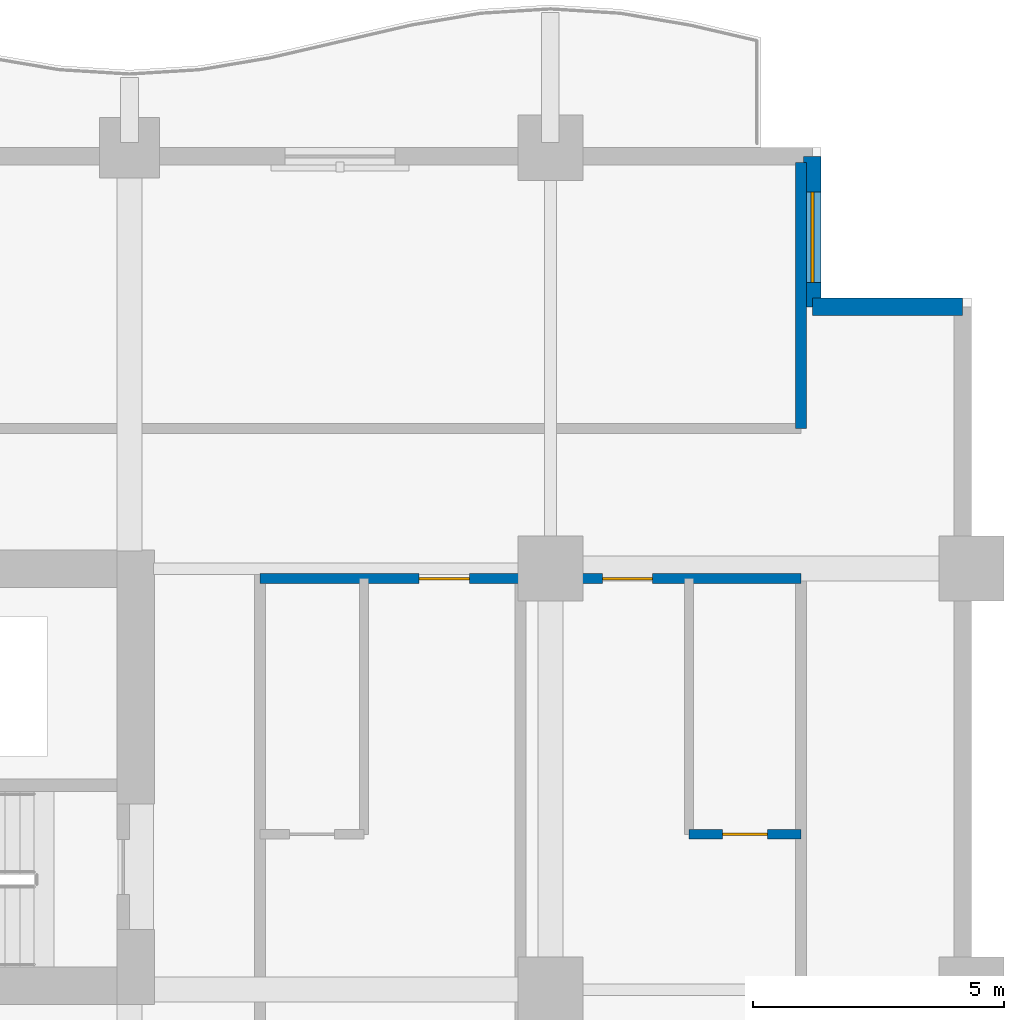
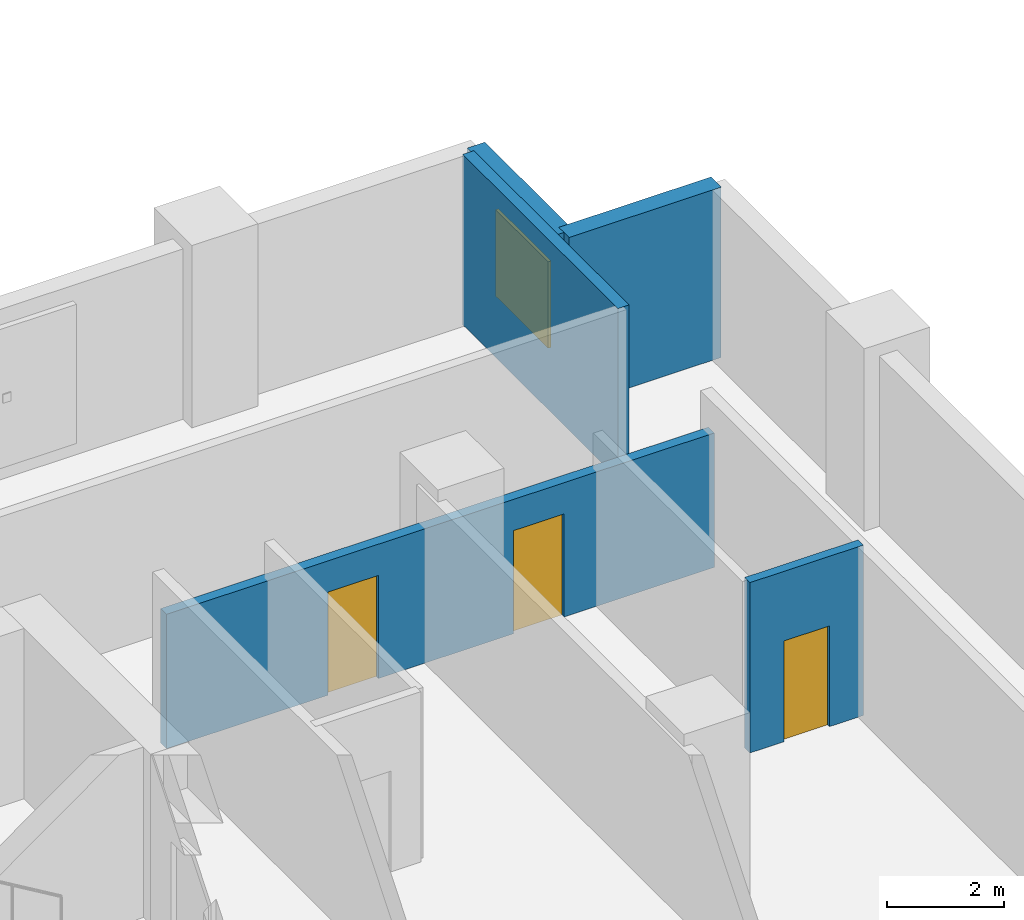
# One storey, part 13 of 21: 5 walls, 3 doors, 1 window, 4 openings.
"""IFC4 building model written with IfcOpenShell, lengths in metres."""

import ifcopenshell
import ifcopenshell.guid

model = None  # the IFC model being written
_history = None  # IfcOwnerHistory: only IFC2X3 demands one
_inside = {}  # id of a spatial element -> (the spatial element, [elements in it])
_under = {}  # id of a project, library or spatial element -> (it, [spatial elements below it])
_declared = {}  # id of a project -> (the project, [libraries it declares])
_typed = {}  # id of a type object -> (the type object, [elements of that type])
_made_of = {}  # id of a material, layer set ... -> (it, [elements and type objects made of it])


def new_model(schema):
    """Start an empty IFC model of exactly this schema.

    Asked for "IFC4X3", IfcOpenShell would pick the latest addendum, in which some entities
    have other attributes; the version numbers below select the first issue.
    IFC2X3 requires an IfcOwnerHistory on every rooted entity: one is made here for all.
    """
    global model, _history
    if schema == "IFC4X3":
        model = ifcopenshell.file(schema_version=(4, 3, 0, 0))
    else:
        model = ifcopenshell.file(schema=schema)
    _inside.clear()
    _under.clear()
    _declared.clear()
    _typed.clear()
    _made_of.clear()
    _history = None
    if model.schema == "IFC2X3":
        org = make("IfcOrganization", Name="unknown")
        user = make(
            "IfcPersonAndOrganization",
            ThePerson=make("IfcPerson", FamilyName="unknown"),
            TheOrganization=org,
        )
        app = make(
            "IfcApplication",
            ApplicationDeveloper=org,
            Version="unknown",
            ApplicationFullName="unknown",
            ApplicationIdentifier="unknown",
        )
        _history = make(
            "IfcOwnerHistory",
            OwningUser=user,
            OwningApplication=app,
            ChangeAction="ADDED",
            CreationDate=0,
        )
    return model


def make(cls, **values):
    """One entity of the class cls with the attributes given. An attribute that is None is left unset."""
    return model.create_entity(
        cls, **{name: value for name, value in values.items() if value is not None}
    )


def rooted(cls, **values):
    """An entity with a GlobalId (a new one), such as an element, a storey or a relation."""
    return make(cls, GlobalId=ifcopenshell.guid.new(), OwnerHistory=_history, **values)


def si_unit(unit_type, name, prefix=None):
    """IfcSIUnit, for example si_unit("LENGTHUNIT", "METRE", prefix="MILLI")."""
    return make("IfcSIUnit", UnitType=unit_type, Prefix=prefix, Name=name)


def assignment(units):
    """IfcUnitAssignment: the units of a project."""
    return None if units is None else make("IfcUnitAssignment", Units=units)


def point(xyz):
    """IfcCartesianPoint."""
    return None if xyz is None else make("IfcCartesianPoint", Coordinates=xyz)


def direction(xyz):
    """IfcDirection."""
    return None if xyz is None else make("IfcDirection", DirectionRatios=xyz)


def frame(location, z_axis=None, x_axis=None):
    """IfcAxis2Placement3D, a coordinate frame: its origin and axes. An axis left out is left unset."""
    return make(
        "IfcAxis2Placement3D",
        Location=point(location),
        Axis=direction(z_axis),
        RefDirection=direction(x_axis),
    )


def frame_2d(location, x_axis=None):
    """IfcAxis2Placement2D, a coordinate frame in the plane: its origin and x axis."""
    return make(
        "IfcAxis2Placement2D", Location=point(location), RefDirection=direction(x_axis)
    )


def origin():
    """The frame at (0, 0, 0) with its axes left unset."""
    return frame((0.0, 0.0, 0.0))


def place(relative_to, where):
    """IfcLocalPlacement: puts the frame where relative to a parent placement (None: the world)."""
    return make(
        "IfcLocalPlacement", PlacementRelTo=relative_to, RelativePlacement=where
    )


def context(
    kind, dimensions, precision=None, world=None, true_north=None, identifier=None
):
    """IfcGeometricRepresentationContext, for example the 3D "Model" context."""
    return make(
        "IfcGeometricRepresentationContext",
        ContextIdentifier=identifier,
        ContextType=kind,
        CoordinateSpaceDimension=dimensions,
        Precision=precision,
        WorldCoordinateSystem=world,
        TrueNorth=true_north,
    )


def subcontext(parent, identifier, kind, view, scale=None):
    """IfcGeometricRepresentationSubContext, for example "Body" below "Model"."""
    return make(
        "IfcGeometricRepresentationSubContext",
        ContextIdentifier=identifier,
        ContextType=kind,
        ParentContext=parent,
        TargetScale=scale,
        TargetView=view,
    )


def project(units=None, contexts=None):
    """IfcProject with its units and contexts."""
    return rooted(
        "IfcProject",
        Name="project",
        RepresentationContexts=contexts,
        UnitsInContext=assignment(units),
    )


def spatial(cls, under=None, at=None, **own):
    """A site, building, storey or space (cls), placed at a placement, below another one or the project."""
    s = rooted(cls, ObjectPlacement=at, **own)
    if under is not None:
        _under.setdefault(under.id(), (under, []))[1].append(s)
    return s


def profile(cls, at=None, kind="AREA", **sizes):
    """A parametric profile (cls). Its sizes go by their IFC names, for example OverallWidth=200.0."""
    return make(cls, ProfileType=kind, Position=at, **sizes)


def rectangle(**sizes):
    """IfcRectangleProfileDef."""
    return profile("IfcRectangleProfileDef", **sizes)


def extrude(swept, where, along, depth):
    """IfcExtrudedAreaSolid: the profile swept, set in the frame where, extruded along a direction by depth."""
    return make(
        "IfcExtrudedAreaSolid",
        SweptArea=swept,
        Position=where,
        ExtrudedDirection=direction(along),
        Depth=depth,
    )


def shape(context_of_items, identifier, shape_type, items):
    """IfcShapeRepresentation: the items that make up one representation, for example the "Body"."""
    return make(
        "IfcShapeRepresentation",
        ContextOfItems=context_of_items,
        RepresentationIdentifier=identifier,
        RepresentationType=shape_type,
        Items=items,
    )


def material(Name=None, Category=None):
    """IfcMaterial."""
    return make("IfcMaterial", Name=Name, Category=Category)


def layer(
    of_material, thickness, ventilated=None, Name=None, Category=None, Priority=None
):
    """IfcMaterialLayer: one layer of a wall or slab, of a material (None: an air gap)."""
    return make(
        "IfcMaterialLayer",
        Material=of_material,
        LayerThickness=thickness,
        IsVentilated=ventilated,
        Name=Name,
        Category=Category,
        Priority=Priority,
    )


def layer_set(layers, Name=None):
    """IfcMaterialLayerSet."""
    return make("IfcMaterialLayerSet", MaterialLayers=layers, LayerSetName=Name)


def made_of(thing, what):
    """Note that an element or type object is made of a material, layer set ...; save() writes the relation."""
    if what is not None:
        _made_of.setdefault(what.id(), (what, []))[1].append(thing)
    return thing


def type_object(cls, material=None, **own):
    """A type object (cls), such as IfcWallType, which elements share."""
    return made_of(rooted(cls, **own), material)


def element(
    cls,
    number,
    at=None,
    inside=None,
    cuts=None,
    type_object=None,
    material=None,
    context=None,
    identifier="Body",
    shape_type=None,
    held_by="IfcProductDefinitionShape",
    body=None,
    shapes=None,
    **own,
):
    """One element of the class cls, such as IfcWall. Its Tag is "e" and its number.

    at: its placement. inside: the storey or other place that contains it. cuts: it is an
    opening in that element (IfcRelVoidsElement). A single representation is given by context,
    identifier, shape_type and body (its items); several are given by shapes. held_by: the class
    of the entity that holds the representations. save() writes the other relations.
    """
    e = rooted(cls, Tag="e%d" % number, ObjectPlacement=at, **own)
    if body is not None:
        shapes = [shape(context, identifier, shape_type, body)]
    if shapes is not None:
        e.Representation = make(held_by, Representations=shapes)
    if inside is not None:
        _inside.setdefault(inside.id(), (inside, []))[1].append(e)
    if cuts is not None:
        rooted(
            "IfcRelVoidsElement", RelatingBuildingElement=cuts, RelatedOpeningElement=e
        )
    if type_object is not None:
        _typed.setdefault(type_object.id(), (type_object, []))[1].append(e)
    return made_of(e, material)


def fill(opening, filler):
    """IfcRelFillsElement: the door or window that sits in an opening."""
    return rooted(
        "IfcRelFillsElement",
        RelatingOpeningElement=opening,
        RelatedBuildingElement=filler,
    )


def aggregate(whole, parts):
    """IfcRelAggregates: a whole, such as a stair, and the parts it consists of."""
    return rooted("IfcRelAggregates", RelatingObject=whole, RelatedObjects=parts)


def save(model, path):
    """Write the relations noted so far, then the file.

    IfcRelAggregates (storeys below a building ...), IfcRelContainedInSpatialStructure (elements
    in a storey), IfcRelDefinesByType, IfcRelAssociatesMaterial and IfcRelDeclares: one each for
    every whole, place, type object, material and project.
    """
    for whole, parts in _under.values():
        aggregate(whole, parts)
    for where, things in _inside.values():
        rooted(
            "IfcRelContainedInSpatialStructure",
            RelatedElements=things,
            RelatingStructure=where,
        )
    for kind, things in _typed.values():
        rooted("IfcRelDefinesByType", RelatedObjects=things, RelatingType=kind)
    for what, things in _made_of.values():
        rooted("IfcRelAssociatesMaterial", RelatedObjects=things, RelatingMaterial=what)
    for by, libraries in _declared.values():
        rooted("IfcRelDeclares", RelatingContext=by, RelatedDefinitions=libraries)
    model.write(path)


model = new_model("IFC4")

# Units and contexts
model_context = context("Model", 3, precision=1e-05, world=origin(), true_north=direction((0.0, 1.0)))
body_context = subcontext(model_context, "Body", "Model", "MODEL_VIEW")
ifc_project = project(units=[si_unit("LENGTHUNIT", "METRE"), si_unit("AREAUNIT", "SQUARE_METRE"), si_unit("VOLUMEUNIT", "CUBIC_METRE"), si_unit("PLANEANGLEUNIT", "RADIAN"), si_unit("MASSUNIT", "GRAM", prefix="KILO")], contexts=[model_context])

# Site, building, storey
site_placement = place(None, origin())
site = spatial("IfcSite", under=ifc_project, at=site_placement, CompositionType="ELEMENT")
building_placement = place(site_placement, origin())
building = spatial("IfcBuilding", under=site, at=building_placement, Name="Koriwani Terraces Tower", CompositionType="ELEMENT")
storey_placement = place(building_placement, frame((0.0, 0.0, 111.39990234375)))
storey = spatial("IfcBuildingStorey", under=building, at=storey_placement, Name="L26", CompositionType="ELEMENT", Elevation=111.39990234375)

# Wall, openings, doors
ifc_material_1 = material(Name="Autoclaved Cellular Concrete Blockwork", Category="masonry")
ifc_layer_1 = layer(ifc_material_1, 0.199951171875, Name="Autoclaved Cellular Concrete Blockwork")
ifc_layer_set_1 = layer_set([ifc_layer_1], Name="Autoclaved Cellular Concrete Blockwork")
wall_type_1 = type_object("IfcWallType", Name="WALL_CORRIDOR_200", PredefinedType="PARTITIONING", material=ifc_layer_set_1)
wall_1_placement = place(storey_placement, frame((61.39990234375, 25.0, 0.0), z_axis=(0.0, 0.0, 1.0), x_axis=(1.0, 0.0, 0.0)))
wall_1 = element("IfcWall", 1, at=wall_1_placement, inside=storey, type_object=wall_type_1, Name="L26 Interior Wall WCOR-L26-SE-0", PredefinedType="PARTITIONING", context=body_context, shape_type="SweptSolid", body=[
    extrude(rectangle(XDim=10.800048828125, YDim=0.199951171875, at=frame_2d((5.39990234375, 0.0))), origin(), (0.0, 0.0, 1.0), 2.800048828125),
])
opening_1_placement = place(wall_1_placement, frame((3.179931640625, 0.0, 0.0)))
opening_1 = element("IfcOpeningElement", 2, at=opening_1_placement, cuts=wall_1, Name="Opening D-05", PredefinedType="OPENING", context=body_context, shape_type="SweptSolid", body=[
    extrude(rectangle(XDim=1.0, YDim=2.14990234375, at=frame_2d((0.5, 1.074951171875))), frame((0.0, 0.10986328125, 0.0), z_axis=(0.0, -1.0, 0.0), x_axis=(1.0, 0.0, 0.0)), (0.0, 0.0, 1.0), 0.219970703125),
])
opening_2_placement = place(wall_1_placement, frame((6.840087890625, 0.0, 0.0)))
opening_2 = element("IfcOpeningElement", 3, at=opening_2_placement, cuts=wall_1, Name="Opening D-05", PredefinedType="OPENING", context=body_context, shape_type="SweptSolid", body=[
    extrude(rectangle(XDim=1.0, YDim=2.14990234375, at=frame_2d((0.5, 1.074951171875))), frame((0.0, 0.10986328125, 0.0), z_axis=(0.0, -1.0, 0.0), x_axis=(1.0, 0.0, 0.0)), (0.0, 0.0, 1.0), 0.219970703125),
])
ifc_material_2 = material(Name="Architectural Oak Fire Door", Category="wood")
door_type_1 = type_object("IfcDoorType", Name="DOOR_SUITE_ENTRY_1000X2150", OperationType="NOTDEFINED", PredefinedType="DOOR", material=ifc_material_2)
door_1_placement = place(opening_1_placement, origin())
door_1 = element("IfcDoor", 4, at=door_1_placement, inside=storey, type_object=door_type_1, Name="Luxury Hotel Suite 26SE1 Entrance Door", OperationType="SINGLE_SWING_RIGHT", OverallHeight=2.14990234375, OverallWidth=1.0, PredefinedType="DOOR", context=body_context, shape_type="SweptSolid", body=[
    extrude(rectangle(XDim=1.0, YDim=2.14990234375, at=frame_2d((0.5, 1.074951171875))), frame((0.0, 0.02490234375, 0.0), z_axis=(0.0, -1.0, 0.0), x_axis=(1.0, 0.0, 0.0)), (0.0, 0.0, 1.0), 0.050048828125),
])
fill(opening_1, door_1)
door_2_placement = place(opening_2_placement, origin())
door_2 = element("IfcDoor", 5, at=door_2_placement, inside=storey, type_object=door_type_1, Name="Luxury Hotel Suite 26SE2 Entrance Door", OperationType="SINGLE_SWING_RIGHT", OverallHeight=2.14990234375, OverallWidth=1.0, PredefinedType="DOOR", context=body_context, shape_type="SweptSolid", body=[
    extrude(rectangle(XDim=1.0, YDim=2.14990234375, at=frame_2d((0.5, 1.074951171875))), frame((0.0, 0.02490234375, 0.0), z_axis=(0.0, -1.0, 0.0), x_axis=(1.0, 0.0, 0.0)), (0.0, 0.0, 1.0), 0.050048828125),
])
fill(opening_2, door_2)

# Wall
ifc_layer_2 = layer(ifc_material_1, 0.219970703125, Name="Autoclaved Cellular Concrete Blockwork")
ifc_layer_set_2 = layer_set([ifc_layer_2], Name="Autoclaved Cellular Concrete Blockwork")
wall_type_2 = type_object("IfcWallType", Name="WALL_DEMISING_220", PredefinedType="PARTITIONING", material=ifc_layer_set_2)
wall_2_placement = place(storey_placement, frame((72.199951171875, 28.0, 0.0), z_axis=(0.0, 0.0, 1.0), x_axis=(0.0, 1.0, 0.0)))
element("IfcWall", 6, at=wall_2_placement, inside=storey, type_object=wall_type_2, Name="L26 Interior Wall WSEC-E-L26", PredefinedType="PARTITIONING", context=body_context, shape_type="SweptSolid", body=[
    extrude(rectangle(XDim=5.300048828125, YDim=0.219970703125, at=frame_2d((2.64990234375, 0.0))), origin(), (0.0, 0.0, 1.0), 3.550048828125),
])

# Wall, opening, window
ifc_material_3 = material(Name="Concrete C50/60", Category="concrete")
ifc_layer_3 = layer(ifc_material_3, 0.35009765625, Name="Concrete C50/60")
ifc_layer_set_3 = layer_set([ifc_layer_3], Name="Concrete C50/60")
wall_type_3 = type_object("IfcWallType", Name="WALL_EXT_BRUTALIST_350", PredefinedType="STANDARD", material=ifc_layer_set_3)
wall_3_placement = place(storey_placement, frame((72.425048828125, 33.425048828125, 0.0), z_axis=(0.0, 0.0, 1.0), x_axis=(0.0, -1.0, 0.0)))
wall_3 = element("IfcWall", 7, at=wall_3_placement, inside=storey, type_object=wall_type_3, Name="L26 Fair-Faced Brutalist Exterior Wall (N10)", PredefinedType="STANDARD", context=body_context, shape_type="SweptSolid", body=[
    extrude(rectangle(XDim=3.0, YDim=0.35009765625, at=frame_2d((1.5, 0.0))), origin(), (0.0, 0.0, 1.0), 3.550048828125),
])
opening_3_placement = place(wall_3_placement, frame((0.71240234375, 0.0, 0.85009765625)))
opening_3 = element("IfcOpeningElement", 8, at=opening_3_placement, cuts=wall_3, Name="Opening W-04", PredefinedType="OPENING", context=body_context, shape_type="SweptSolid", body=[
    extrude(rectangle(XDim=1.800048828125, YDim=1.800048828125, at=frame_2d((0.89990234375, 0.89990234375))), frame((0.0, 0.18505859375, 0.0), z_axis=(0.0, -1.0, 0.0), x_axis=(1.0, 0.0, 0.0)), (0.0, 0.0, 1.0), 0.3701171875),
])
ifc_material_4 = material(Name="Tempered Laminated Low-E Glass", Category="glass")
window_type = type_object("IfcWindowType", Name="WIN_RES_BED_1800X1800", PartitioningType="DOUBLE_PANEL_VERTICAL", PredefinedType="WINDOW", material=ifc_material_4)
window_placement = place(opening_3_placement, origin())
window = element("IfcWindow", 9, at=window_placement, inside=storey, type_object=window_type, Name="L26 Exterior Window (N10-R54)", OverallHeight=1.800048828125, OverallWidth=1.800048828125, PartitioningType="SINGLE_PANEL", PredefinedType="WINDOW", context=body_context, shape_type="SweptSolid", body=[
    extrude(rectangle(XDim=1.800048828125, YDim=1.800048828125, at=frame_2d((0.89990234375, 0.89990234375))), frame((0.0, 0.030029296875, 0.0), z_axis=(0.0, -1.0, 0.0), x_axis=(1.0, 0.0, 0.0)), (0.0, 0.0, 1.0), 0.06005859375),
])
fill(opening_3, window)

# Wall
wall_4_placement = place(storey_placement, frame((72.425048828125, 30.425048828125, 0.0), z_axis=(0.0, 0.0, 1.0), x_axis=(1.0, 0.0, 0.0)))
element("IfcWall", 10, at=wall_4_placement, inside=storey, type_object=wall_type_3, Name="L26 Fair-Faced Brutalist Exterior Wall (N11)", PredefinedType="STANDARD", context=body_context, shape_type="SweptSolid", body=[
    extrude(rectangle(XDim=3.0, YDim=0.35009765625, at=frame_2d((1.5, 0.0))), origin(), (0.0, 0.0, 1.0), 3.550048828125),
])

# Wall, opening, door
ifc_material_5 = material(Name="Fire-Rated Acoustic Gypsum Partition", Category="masonry")
ifc_layer_4 = layer(ifc_material_5, 0.179931640625, Name="Fire-Rated Acoustic Gypsum Partition")
ifc_layer_set_4 = layer_set([ifc_layer_4], Name="Fire-Rated Acoustic Gypsum Partition")
wall_type_4 = type_object("IfcWallType", Name="WALL_PLUMBING_180", PredefinedType="PLUMBINGWALL", material=ifc_layer_set_4)
wall_5_placement = place(storey_placement, frame((69.9599609375, 19.89990234375, 0.0), z_axis=(0.0, 0.0, 1.0), x_axis=(1.0, 0.0, 0.0)))
wall_5 = element("IfcWall", 11, at=wall_5_placement, inside=storey, type_object=wall_type_4, Name="L26 Interior Wall WBTH1-L26-SE-1", PredefinedType="PLUMBINGWALL", context=body_context, shape_type="SweptSolid", body=[
    extrude(rectangle(XDim=2.239990234375, YDim=0.179931640625, at=frame_2d((1.1201171875, 0.0))), origin(), (0.0, 0.0, 1.0), 3.550048828125),
])
opening_4_placement = place(wall_5_placement, frame((0.669921875, 0.0, 0.0)))
opening_4 = element("IfcOpeningElement", 12, at=opening_4_placement, cuts=wall_5, Name="Opening D-07", PredefinedType="OPENING", context=body_context, shape_type="SweptSolid", body=[
    extrude(rectangle(XDim=0.89990234375, YDim=2.10009765625, at=frame_2d((0.449951171875, 1.050048828125))), frame((0.0, 0.10009765625, 0.0), z_axis=(0.0, -1.0, 0.0), x_axis=(1.0, 0.0, 0.0)), (0.0, 0.0, 1.0), 0.199951171875),
])
door_type_2 = type_object("IfcDoorType", Name="DOOR_BATH_INT_900X2100", OperationType="NOTDEFINED", PredefinedType="DOOR", material=ifc_material_2)
door_3_placement = place(opening_4_placement, origin())
door_3 = element("IfcDoor", 13, at=door_3_placement, inside=storey, type_object=door_type_2, Name="En-Suite Bathroom 26SE2 Door", OperationType="SINGLE_SWING_LEFT", OverallHeight=2.10009765625, OverallWidth=0.89990234375, PredefinedType="DOOR", context=body_context, shape_type="SweptSolid", body=[
    extrude(rectangle(XDim=0.89990234375, YDim=2.10009765625, at=frame_2d((0.449951171875, 1.050048828125))), frame((0.0, 0.02490234375, 0.0), z_axis=(0.0, -1.0, 0.0), x_axis=(1.0, 0.0, 0.0)), (0.0, 0.0, 1.0), 0.050048828125),
])
fill(opening_4, door_3)

save(model, "model.ifc")
